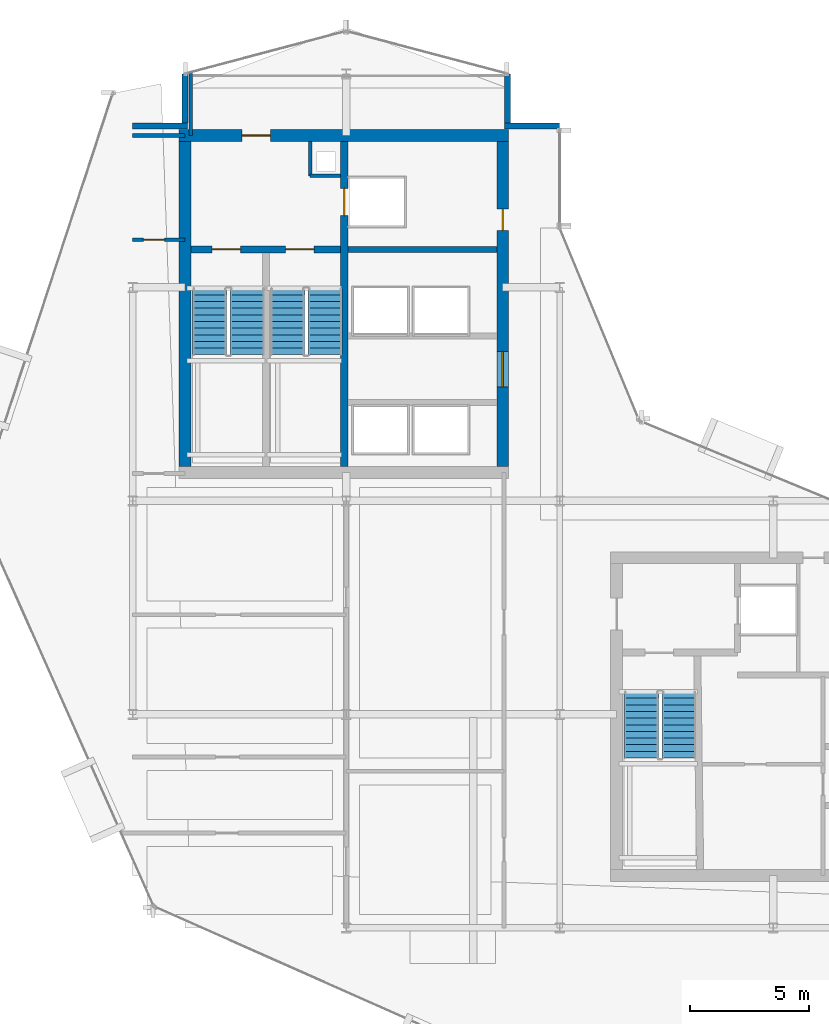
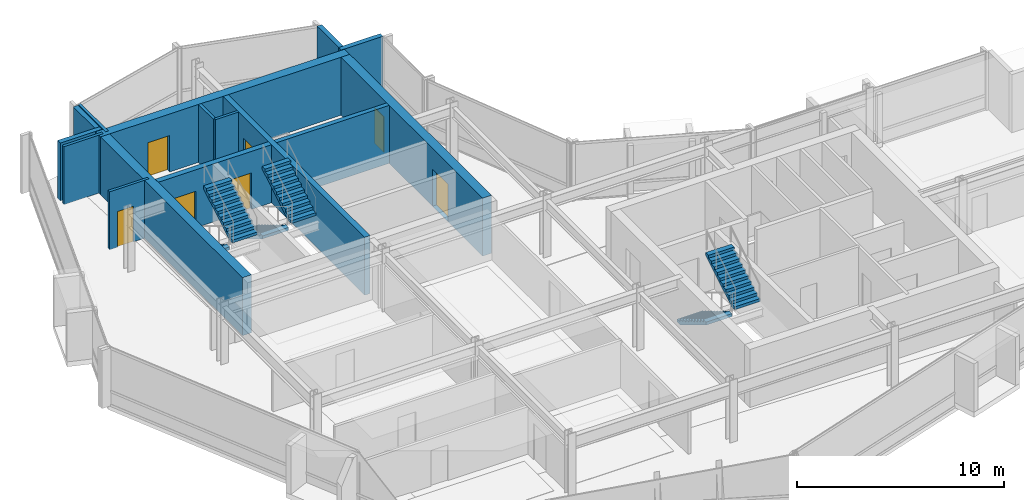
# One storey, part 21 of 27: 15 walls, 7 doors, 6 stair flights, 7 openings, 3 elements without a shape of their own.
"""IFC4 building model written with IfcOpenShell, lengths in metres."""

from ifc_helpers import new_model, si_unit, direction, frame, frame_2d, origin, place, context, subcontext, project, spatial, polyline, rectangle, outline, extrude, material, layer, layer_set, type_object, element, fill, aggregate, save


model = new_model("IFC4")

# Units and contexts
model_context = context("Model", 3, precision=1e-05, world=origin(), true_north=direction((0.0, 1.0)))
body_context = subcontext(model_context, "Body", "Model", "MODEL_VIEW")
ifc_project = project(units=[si_unit("LENGTHUNIT", "METRE"), si_unit("AREAUNIT", "SQUARE_METRE"), si_unit("VOLUMEUNIT", "CUBIC_METRE"), si_unit("PLANEANGLEUNIT", "RADIAN"), si_unit("MASSUNIT", "GRAM", prefix="KILO")], contexts=[model_context])

# Site, building, storey
site_placement = place(None, origin())
site = spatial("IfcSite", under=ifc_project, at=site_placement, CompositionType="ELEMENT")
building_placement = place(site_placement, origin())
building = spatial("IfcBuilding", under=site, at=building_placement, Name="Solvaryn Broadcast Tower", CompositionType="ELEMENT")
storey_placement = place(building_placement, frame((0.0, 0.0, 181.60009765625)))
storey = spatial("IfcBuildingStorey", under=building, at=storey_placement, Name="L45", CompositionType="ELEMENT", Elevation=181.60009765625)

# Wall, opening, door
ifc_material_1 = material(Name="Concrete f'c 70 MPa", Category="concrete")
ifc_layer_1 = layer(ifc_material_1, 0.5)
ifc_layer_set_1 = layer_set([ifc_layer_1], Name="CW-SHEAR-500")
wall_type_1 = type_object("IfcWallType", Name="CW-SHEAR-500", PredefinedType="SHEAR", material=ifc_layer_set_1)
wall_1_placement = place(storey_placement, frame((24.85009765625, 42.39990234375, 0.0), z_axis=(0.0, 0.0, 1.0), x_axis=(-1.0, 0.0, 0.0)))
wall_1 = element("IfcWall", 1, at=wall_1_placement, inside=storey, type_object=wall_type_1, Name="L45 West Core North Shear Wall", PredefinedType="SHEAR", context=body_context, shape_type="SweptSolid", body=[
    extrude(rectangle(XDim=13.900146484375, YDim=0.5, at=frame_2d((6.9501953125, 0.0))), origin(), (0.0, 0.0, 1.0), 3.419921875),
])
opening_1_placement = place(wall_1_placement, frame((10.050048828125, 0.0, 0.0)))
opening_1 = element("IfcOpeningElement", 2, at=opening_1_placement, cuts=wall_1, Name="Opening FD90A", PredefinedType="OPENING", context=body_context, shape_type="SweptSolid", body=[
    extrude(rectangle(XDim=1.199951171875, YDim=2.14990234375, at=frame_2d((0.60009765625, 1.074951171875))), frame((0.0, 0.260009765625, 0.0), z_axis=(0.0, -1.0, 0.0), x_axis=(1.0, 0.0, 0.0)), (0.0, 0.0, 1.0), 0.52001953125),
])
ifc_material_2 = material(Name="Flush Acoustic Steel and Timber Door Assembly", Category="steel")
door_type_1 = type_object("IfcDoorType", Name="FD90-STAIR-1200X2150", OperationType="NOTDEFINED", PredefinedType="DOOR", material=ifc_material_2)
door_1_placement = place(opening_1_placement, origin())
door_1 = element("IfcDoor", 3, at=door_1_placement, inside=storey, type_object=door_type_1, Name="L45 West FSAE Lobby Corridor Door", OperationType="SINGLE_SWING_LEFT", OverallHeight=2.14990234375, OverallWidth=1.199951171875, PredefinedType="DOOR", context=body_context, shape_type="SweptSolid", body=[
    extrude(rectangle(XDim=1.199951171875, YDim=2.14990234375, at=frame_2d((0.60009765625, 1.074951171875))), frame((0.0, 0.02490234375, 0.0), z_axis=(0.0, -1.0, 0.0), x_axis=(1.0, 0.0, 0.0)), (0.0, 0.0, 1.0), 0.050048828125),
])
fill(opening_1, door_1)

# Wall
wall_2_placement = place(storey_placement, frame((11.199951171875, 42.14990234375, 0.0), z_axis=(0.0, 0.0, 1.0), x_axis=(0.0, -1.0, 0.0)))
element("IfcWall", 4, at=wall_2_placement, inside=storey, type_object=wall_type_1, Name="L45 West Core West Shear Wall", PredefinedType="SHEAR", context=body_context, shape_type="SweptSolid", body=[
    extrude(rectangle(XDim=13.699951171875, YDim=0.5, at=frame_2d((6.85009765625, 0.0))), origin(), (0.0, 0.0, 1.0), 3.419921875),
])

# Wall, openings, doors
wall_3_placement = place(storey_placement, frame((24.60009765625, 28.449951171875, 0.0), z_axis=(0.0, 0.0, 1.0), x_axis=(0.0, 1.0, 0.0)))
wall_3 = element("IfcWall", 5, at=wall_3_placement, inside=storey, type_object=wall_type_1, Name="L45 West Core East Shear Wall", PredefinedType="SHEAR", context=body_context, shape_type="SweptSolid", body=[
    extrude(rectangle(XDim=13.699951171875, YDim=0.5, at=frame_2d((6.85009765625, 0.0))), origin(), (0.0, 0.0, 1.0), 3.419921875),
])
opening_2_placement = place(wall_3_placement, frame((3.35009765625, 0.0, 0.0)))
opening_2 = element("IfcOpeningElement", 6, at=opening_2_placement, cuts=wall_3, Name="Opening FD60A", PredefinedType="OPENING", context=body_context, shape_type="SweptSolid", body=[
    extrude(rectangle(XDim=1.5, YDim=2.199951171875, at=frame_2d((0.75, 1.10009765625))), frame((0.0, 0.260009765625, 0.0), z_axis=(0.0, -1.0, 0.0), x_axis=(1.0, 0.0, 0.0)), (0.0, 0.0, 1.0), 0.52001953125),
])
opening_3_placement = place(wall_3_placement, frame((9.949951171875, 0.0, 0.0)))
opening_3 = element("IfcOpeningElement", 7, at=opening_3_placement, cuts=wall_3, Name="Opening FD60C", PredefinedType="OPENING", context=body_context, shape_type="SweptSolid", body=[
    extrude(rectangle(XDim=0.89990234375, YDim=2.10009765625, at=frame_2d((0.449951171875, 1.050048828125))), frame((0.0, 0.260009765625, 0.0), z_axis=(0.0, -1.0, 0.0), x_axis=(1.0, 0.0, 0.0)), (0.0, 0.0, 1.0), 0.52001953125),
])
ifc_material_3 = material(Name="Flush Acoustic Steel and Timber Door Assembly", Category="steel")
door_type_2 = type_object("IfcDoorType", Name="FD60-CORR-1500X2200", OperationType="NOTDEFINED", PredefinedType="DOOR", material=ifc_material_3)
door_2_placement = place(opening_2_placement, origin())
door_2 = element("IfcDoor", 8, at=door_2_placement, inside=storey, type_object=door_type_2, Name="L45 West Elevator Lobby Corridor Door", OperationType="DOUBLE_DOOR_SINGLE_SWING", OverallHeight=2.199951171875, OverallWidth=1.5, PredefinedType="DOOR", context=body_context, shape_type="SweptSolid", body=[
    extrude(rectangle(XDim=1.5, YDim=2.199951171875, at=frame_2d((0.75, 1.10009765625))), frame((0.0, 0.02490234375, 0.0), z_axis=(0.0, -1.0, 0.0), x_axis=(1.0, 0.0, 0.0)), (0.0, 0.0, 1.0), 0.050048828125),
])
fill(opening_2, door_2)
ifc_material_4 = material(Name="Flush Acoustic Steel and Timber Door Assembly", Category="steel")
door_type_3 = type_object("IfcDoorType", Name="FD60-SERV-900X2100", OperationType="NOTDEFINED", PredefinedType="DOOR", material=ifc_material_4)
door_3_placement = place(opening_3_placement, origin())
door_3 = element("IfcDoor", 9, at=door_3_placement, inside=storey, type_object=door_type_3, Name="L45 West Core Service Door 1", OperationType="SINGLE_SWING_LEFT", OverallHeight=2.10009765625, OverallWidth=0.89990234375, PredefinedType="DOOR", context=body_context, shape_type="SweptSolid", body=[
    extrude(rectangle(XDim=0.89990234375, YDim=2.10009765625, at=frame_2d((0.449951171875, 1.050048828125))), frame((0.0, 0.02490234375, 0.0), z_axis=(0.0, -1.0, 0.0), x_axis=(1.0, 0.0, 0.0)), (0.0, 0.0, 1.0), 0.050048828125),
])
fill(opening_3, door_3)

# Walls
ifc_material_5 = material(Name="Concrete f'c 50 MPa", Category="concrete")
ifc_layer_2 = layer(ifc_material_5, 0.260009765625)
ifc_layer_set_2 = layer_set([ifc_layer_2], Name="EW-PIER-260")
wall_type_2 = type_object("IfcWallType", Name="EW-PIER-260", PredefinedType="SOLIDWALL", material=ifc_layer_set_2)
wall_4_placement = place(storey_placement, frame((9.0, 42.800048828125, 0.0), z_axis=(0.0, 0.0, 1.0), x_axis=(1.0, 0.0, 0.0)))
element("IfcWall", 10, at=wall_4_placement, inside=storey, type_object=wall_type_2, Name="L45 Notched Corner Pier Wall NNW1", PredefinedType="SOLIDWALL", context=body_context, shape_type="SweptSolid", body=[
    extrude(rectangle(XDim=2.320068359375, YDim=0.260009765625, at=frame_2d((1.16015625, 0.0))), origin(), (0.0, 0.0, 1.0), 3.419921875),
])
for number, where, z_axis, x_axis, name in (
    (11, (11.199951171875, 42.919921875, 0.0), (0.0, 0.0, 1.0), (0.0, 1.0, 0.0), "L45 Notched Corner Pier Wall NNW2"),
    (12, (24.800048828125, 45.0, 0.0), (0.0, 0.0, 1.0), (0.0, -1.0, 0.0), "L45 Notched Corner Pier Wall NNE1"),
):
    element("IfcWall", number, at=place(storey_placement, frame(where, z_axis=z_axis, x_axis=x_axis)), inside=storey, type_object=wall_type_2, Name=name, PredefinedType="SOLIDWALL", context=body_context, shape_type="SweptSolid", body=[
        extrude(rectangle(XDim=2.080078125, YDim=0.260009765625, at=frame_2d((1.0400390625, 0.0))), origin(), (0.0, 0.0, 1.0), 3.419921875),
    ])
wall_5_placement = place(storey_placement, frame((24.679931640625, 42.800048828125, 0.0), z_axis=(0.0, 0.0, 1.0), x_axis=(1.0, 0.0, 0.0)))
element("IfcWall", 13, at=wall_5_placement, inside=storey, type_object=wall_type_2, Name="L45 Notched Corner Pier Wall NNE2", PredefinedType="SOLIDWALL", context=body_context, shape_type="SweptSolid", body=[
    extrude(rectangle(XDim=2.320068359375, YDim=0.260009765625, at=frame_2d((1.16015625, 0.0))), origin(), (0.0, 0.0, 1.0), 3.419921875),
])
ifc_material_6 = material(Name="Metal-Stud Service Core Partition")
ifc_layer_3 = layer(ifc_material_6, 0.14990234375)
ifc_layer_set_3 = layer_set([ifc_layer_3], Name="IW-PART-150")
wall_type_3 = type_object("IfcWallType", Name="IW-PART-150", PredefinedType="PARTITIONING", material=ifc_layer_set_3)
wall_6_placement = place(storey_placement, frame((16.47998046875, 40.699951171875, 0.0), z_axis=(0.0, 0.0, 1.0), x_axis=(1.0, 0.0, 0.0)))
element("IfcWall", 14, at=wall_6_placement, inside=storey, type_object=wall_type_3, Name="L45 West Core Riser Shaft South Wall", PredefinedType="PARTITIONING", context=body_context, shape_type="SweptSolid", body=[
    extrude(rectangle(XDim=1.2900390625, YDim=0.14990234375, at=frame_2d((0.64501953125, 0.0))), origin(), (0.0, 0.0, 1.0), 3.419921875),
])
wall_7_placement = place(storey_placement, frame((16.47998046875, 40.699951171875, 0.0), z_axis=(0.0, 0.0, 1.0), x_axis=(0.0, 1.0, 0.0)))
element("IfcWall", 15, at=wall_7_placement, inside=storey, type_object=wall_type_3, Name="L45 West Core Riser Shaft West Wall", PredefinedType="PARTITIONING", context=body_context, shape_type="SweptSolid", body=[
    extrude(rectangle(XDim=1.449951171875, YDim=0.14990234375, at=frame_2d((0.72509765625, 0.0))), origin(), (0.0, 0.0, 1.0), 3.419921875),
])

# Wall, opening, door
wall_8_placement = place(storey_placement, frame((9.0, 38.0, 0.0), z_axis=(0.0, 0.0, 1.0), x_axis=(1.0, 0.0, 0.0)))
wall_8 = element("IfcWall", 16, at=wall_8_placement, inside=storey, type_object=wall_type_3, Name="L45 Interior Partition IW-L45-WM-M", PredefinedType="PARTITIONING", context=body_context, shape_type="SweptSolid", body=[
    extrude(rectangle(XDim=2.199951171875, YDim=0.14990234375, at=frame_2d((1.10009765625, 0.0))), origin(), (0.0, 0.0, 1.0), 3.419921875),
])
opening_4_placement = place(wall_8_placement, frame((0.449951171875, 0.0, 0.0)))
opening_4 = element("IfcOpeningElement", 17, at=opening_4_placement, cuts=wall_8, Name="Opening FD60C", PredefinedType="OPENING", context=body_context, shape_type="SweptSolid", body=[
    extrude(rectangle(XDim=0.89990234375, YDim=2.10009765625, at=frame_2d((0.449951171875, 1.050048828125))), frame((0.0, 0.0849609375, 0.0), z_axis=(0.0, -1.0, 0.0), x_axis=(1.0, 0.0, 0.0)), (0.0, 0.0, 1.0), 0.169921875),
])
door_4_placement = place(opening_4_placement, origin())
door_4 = element("IfcDoor", 18, at=door_4_placement, inside=storey, type_object=door_type_3, Name="L45 Door DR-L45-WM1", OperationType="SINGLE_SWING_LEFT", OverallHeight=2.10009765625, OverallWidth=0.89990234375, PredefinedType="DOOR", context=body_context, shape_type="SweptSolid", body=[
    extrude(rectangle(XDim=0.89990234375, YDim=2.10009765625, at=frame_2d((0.449951171875, 1.050048828125))), frame((0.0, 0.02490234375, 0.0), z_axis=(0.0, -1.0, 0.0), x_axis=(1.0, 0.0, 0.0)), (0.0, 0.0, 1.0), 0.050048828125),
])
fill(opening_4, door_4)

# Walls
ifc_material_7 = material(Name="Metal-Stud Gypsum Office Partition")
ifc_layer_4 = layer(ifc_material_7, 0.159912109375)
ifc_layer_set_4 = layer_set([ifc_layer_4], Name="IW-PART-160")
wall_type_4 = type_object("IfcWallType", Name="IW-PART-160", PredefinedType="PARTITIONING", material=ifc_layer_set_4)
wall_9_placement = place(storey_placement, frame((9.0, 42.39990234375, 0.0), z_axis=(0.0, 0.0, 1.0), x_axis=(1.0, 0.0, 0.0)))
element("IfcWall", 19, at=wall_9_placement, inside=storey, type_object=wall_type_4, Name="L45 Interior Partition IW-L45-WM-N", PredefinedType="PARTITIONING", context=body_context, shape_type="SweptSolid", body=[
    extrude(rectangle(XDim=2.199951171875, YDim=0.159912109375, at=frame_2d((1.10009765625, 0.0))), origin(), (0.0, 0.0, 1.0), 3.419921875),
])
wall_10_placement = place(storey_placement, frame((11.449951171875, 42.39990234375, 0.0), z_axis=(0.0, 0.0, 1.0), x_axis=(0.0, 1.0, 0.0)))
element("IfcWall", 20, at=wall_10_placement, inside=storey, type_object=wall_type_4, Name="L45 Interior Partition IW-L45-WM-E", PredefinedType="PARTITIONING", context=body_context, shape_type="SweptSolid", body=[
    extrude(rectangle(XDim=2.666015625, YDim=0.159912109375, at=frame_2d((1.3330078125, 0.0))), origin(), (0.0, 0.0, 1.0), 3.419921875),
])
ifc_material_8 = material(Name="Concrete f'c 60 MPa", Category="concrete")
ifc_layer_5 = layer(ifc_material_8, 0.25)
ifc_layer_set_5 = layer_set([ifc_layer_5], Name="SW-SHAFT-250")
wall_type_5 = type_object("IfcWallType", Name="SW-SHAFT-250", PredefinedType="PARTITIONING", material=ifc_layer_set_5)
wall_11_placement = place(storey_placement, frame((18.070068359375, 37.60009765625, 0.0), z_axis=(0.0, 0.0, 1.0), x_axis=(1.0, 0.0, 0.0)))
element("IfcWall", 21, at=wall_11_placement, inside=storey, type_object=wall_type_5, Name="L45 West Core FSAE Hoistway Front Wall", PredefinedType="PARTITIONING", context=body_context, shape_type="SweptSolid", body=[
    extrude(rectangle(XDim=6.280029296875, YDim=0.25, at=frame_2d((3.14013671875, 0.0))), origin(), (0.0, 0.0, 1.0), 3.419921875),
])

# Wall, opening, door
ifc_material_9 = material(Name="Concrete f'c 70 MPa", Category="concrete")
ifc_layer_6 = layer(ifc_material_9, 0.300048828125)
ifc_layer_set_6 = layer_set([ifc_layer_6], Name="SW-SHAFT-300")
wall_type_6 = type_object("IfcWallType", Name="SW-SHAFT-300", PredefinedType="SHEAR", material=ifc_layer_set_6)
wall_12_placement = place(storey_placement, frame((17.919921875, 42.14990234375, 0.0), z_axis=(0.0, 0.0, 1.0), x_axis=(0.0, -1.0, 0.0)))
wall_12 = element("IfcWall", 22, at=wall_12_placement, inside=storey, type_object=wall_type_6, Name="L45 West Core Stair-Lobby Shear Wall", PredefinedType="SHEAR", context=body_context, shape_type="SweptSolid", body=[
    extrude(rectangle(XDim=13.699951171875, YDim=0.300048828125, at=frame_2d((6.85009765625, 0.0))), origin(), (0.0, 0.0, 1.0), 3.419921875),
])
opening_5_placement = place(wall_12_placement, frame((1.97509765625, 0.0, 0.0)))
opening_5 = element("IfcOpeningElement", 23, at=opening_5_placement, cuts=wall_12, Name="Opening LD01", PredefinedType="OPENING", context=body_context, shape_type="SweptSolid", body=[
    extrude(rectangle(XDim=1.14990234375, YDim=2.14990234375, at=frame_2d((0.574951171875, 1.074951171875))), frame((0.0, 0.159912109375, 0.0), z_axis=(0.0, -1.0, 0.0), x_axis=(1.0, 0.0, 0.0)), (0.0, 0.0, 1.0), 0.320068359375),
])
ifc_material_10 = material(Name="Flush Acoustic Steel and Timber Door Assembly", Category="steel")
door_type_4 = type_object("IfcDoorType", Name="LD-LIFT-1150X2150", OperationType="NOTDEFINED", PredefinedType="DOOR", material=ifc_material_10)
door_5_placement = place(opening_5_placement, origin())
door_5 = element("IfcDoor", 24, at=door_5_placement, inside=storey, type_object=door_type_4, Name="L45 FL1 Lift Landing Door", OperationType="DOUBLE_DOOR_SLIDING", OverallHeight=2.14990234375, OverallWidth=1.14990234375, PredefinedType="DOOR", context=body_context, shape_type="SweptSolid", body=[
    extrude(rectangle(XDim=1.14990234375, YDim=2.14990234375, at=frame_2d((0.574951171875, 1.074951171875))), frame((0.0, 0.02490234375, 0.0), z_axis=(0.0, -1.0, 0.0), x_axis=(1.0, 0.0, 0.0)), (0.0, 0.0, 1.0), 0.050048828125),
])
fill(opening_5, door_5)

# Wall, openings, doors
wall_13_placement = place(storey_placement, frame((17.77001953125, 37.60009765625, 0.0), z_axis=(0.0, 0.0, 1.0), x_axis=(-1.0, 0.0, 0.0)))
wall_13 = element("IfcWall", 25, at=wall_13_placement, inside=storey, type_object=wall_type_6, Name="L45 West Core FSAE Lobby South Wall", PredefinedType="SHEAR", context=body_context, shape_type="SweptSolid", body=[
    extrude(rectangle(XDim=6.320068359375, YDim=0.300048828125, at=frame_2d((3.16015625, 0.0))), origin(), (0.0, 0.0, 1.0), 3.419921875),
])
opening_6_placement = place(wall_13_placement, frame((4.219970703125, 0.0, 0.0)))
opening_6 = element("IfcOpeningElement", 26, at=opening_6_placement, cuts=wall_13, Name="Opening FD90A", PredefinedType="OPENING", context=body_context, shape_type="SweptSolid", body=[
    extrude(rectangle(XDim=1.199951171875, YDim=2.14990234375, at=frame_2d((0.60009765625, 1.074951171875))), frame((0.0, 0.159912109375, 0.0), z_axis=(0.0, -1.0, 0.0), x_axis=(1.0, 0.0, 0.0)), (0.0, 0.0, 1.0), 0.320068359375),
])
opening_7_placement = place(wall_13_placement, frame((1.1201171875, 0.0, 0.0)))
opening_7 = element("IfcOpeningElement", 27, at=opening_7_placement, cuts=wall_13, Name="Opening FD90A", PredefinedType="OPENING", context=body_context, shape_type="SweptSolid", body=[
    extrude(rectangle(XDim=1.199951171875, YDim=2.14990234375, at=frame_2d((0.60009765625, 1.074951171875))), frame((0.0, 0.159912109375, 0.0), z_axis=(0.0, -1.0, 0.0), x_axis=(1.0, 0.0, 0.0)), (0.0, 0.0, 1.0), 0.320068359375),
])
door_6_placement = place(opening_6_placement, origin())
door_6 = element("IfcDoor", 28, at=door_6_placement, inside=storey, type_object=door_type_1, Name="L45 Stair 1 Fire Door", OperationType="SINGLE_SWING_LEFT", OverallHeight=2.14990234375, OverallWidth=1.199951171875, PredefinedType="DOOR", context=body_context, shape_type="SweptSolid", body=[
    extrude(rectangle(XDim=1.199951171875, YDim=2.14990234375, at=frame_2d((0.60009765625, 1.074951171875))), frame((0.0, 0.02490234375, 0.0), z_axis=(0.0, -1.0, 0.0), x_axis=(1.0, 0.0, 0.0)), (0.0, 0.0, 1.0), 0.050048828125),
])
fill(opening_6, door_6)
door_7_placement = place(opening_7_placement, origin())
door_7 = element("IfcDoor", 29, at=door_7_placement, inside=storey, type_object=door_type_1, Name="L45 Stair 2 Fire Door", OperationType="SINGLE_SWING_RIGHT", OverallHeight=2.14990234375, OverallWidth=1.199951171875, PredefinedType="DOOR", context=body_context, shape_type="SweptSolid", body=[
    extrude(rectangle(XDim=1.199951171875, YDim=2.14990234375, at=frame_2d((0.60009765625, 1.074951171875))), frame((0.0, 0.02490234375, 0.0), z_axis=(0.0, -1.0, 0.0), x_axis=(1.0, 0.0, 0.0)), (0.0, 0.0, 1.0), 0.050048828125),
])
fill(opening_7, door_7)

# Stair, stair flights
ifc_material_11 = material(Name="Concrete f'c 60 MPa", Category="concrete")
stair_type = type_object("IfcStairType", Name="ST-CORE", PredefinedType="HALF_TURN_STAIR", material=ifc_material_11)
stair_1_placement = place(storey_placement, origin())
stair_1 = element("IfcStair", 30, at=stair_1_placement, inside=storey, type_object=stair_type, Name="L45 ST1", PredefinedType="HALF_TURN_STAIR")
ifc_material_12 = material(Name="Concrete f'c 60 MPa", Category="concrete")
ifc_layer_7 = layer(ifc_material_12, 0.159912109375)
ifc_layer_set_7 = layer_set([ifc_layer_7], Name="SF-CORE")
stair_flight_type = type_object("IfcStairFlightType", Name="SF-CORE", PredefinedType="STRAIGHT", material=ifc_layer_set_7)
stair_flight_1_placement = place(storey_placement, frame((12.239990234375, 35.9599609375, 0.0), z_axis=(0.0, 0.0, 1.0), x_axis=(0.0, -1.0, 0.0)))
stair_flight_1 = element("IfcStairFlight", 31, at=stair_flight_1_placement, type_object=stair_flight_type, Name="ST1 flight 1", NumberOfRisers=11, NumberOfTreads=10, PredefinedType="STRAIGHT", RiserHeight=0.168181818, TreadLength=0.28, context=body_context, shape_type="SweptSolid", body=[
    extrude(outline(polyline([(0.0, 0.0), (0.0, 0.168212890625), (0.280029296875, 0.168212890625), (0.280029296875, 0.33642578125), (0.56005859375, 0.33642578125), (0.56005859375, 0.504638671875), (0.840087890625, 0.504638671875), (0.840087890625, 0.672607421875), (1.1201171875, 0.672607421875), (1.1201171875, 0.8408203125), (1.39990234375, 0.8408203125), (1.39990234375, 1.009033203125), (1.679931640625, 1.009033203125), (1.679931640625, 1.17724609375), (1.9599609375, 1.17724609375), (1.9599609375, 1.345458984375), (2.239990234375, 1.345458984375), (2.239990234375, 1.513671875), (2.52001953125, 1.513671875), (2.52001953125, 1.681884765625), (2.800048828125, 1.681884765625), (2.800048828125, 1.85009765625), (2.800048828125, 1.5068359375), (0.291015625, 0.0), (0.0, 0.0)])), frame((0.0, 0.719970703125, 0.0), z_axis=(0.0, -1.0, 0.0), x_axis=(1.0, 0.0, 0.0)), (0.0, 0.0, 1.0), 1.43994140625),
])
stair_flight_2_placement = place(storey_placement, frame((13.830078125, 33.159912109375, 1.849853515625), z_axis=(0.0, 0.0, 1.0), x_axis=(0.0, 1.0, 0.0)))
stair_flight_2 = element("IfcStairFlight", 32, at=stair_flight_2_placement, type_object=stair_flight_type, Name="ST1 flight 2", NumberOfRisers=11, NumberOfTreads=10, PredefinedType="STRAIGHT", RiserHeight=0.168181818, TreadLength=0.28, context=body_context, shape_type="SweptSolid", body=[
    extrude(outline(polyline([(0.0, 0.0), (0.0, 0.168212890625), (0.280029296875, 0.168212890625), (0.280029296875, 0.33642578125), (0.56005859375, 0.33642578125), (0.56005859375, 0.504638671875), (0.840087890625, 0.504638671875), (0.840087890625, 0.672607421875), (1.1201171875, 0.672607421875), (1.1201171875, 0.8408203125), (1.39990234375, 0.8408203125), (1.39990234375, 1.009033203125), (1.679931640625, 1.009033203125), (1.679931640625, 1.17724609375), (1.9599609375, 1.17724609375), (1.9599609375, 1.345458984375), (2.239990234375, 1.345458984375), (2.239990234375, 1.513671875), (2.52001953125, 1.513671875), (2.52001953125, 1.681884765625), (2.800048828125, 1.681884765625), (2.800048828125, 1.85009765625), (2.800048828125, 1.5068359375), (0.291015625, 0.0), (0.0, 0.0)])), frame((0.0, 0.719970703125, 0.0), z_axis=(0.0, -1.0, 0.0), x_axis=(1.0, 0.0, 0.0)), (0.0, 0.0, 1.0), 1.43994140625),
])
aggregate(stair_1, [stair_flight_1, stair_flight_2])

stair_2_placement = place(storey_placement, origin())
stair_2 = element("IfcStair", 33, at=stair_2_placement, inside=storey, type_object=stair_type, Name="L45 ST2", PredefinedType="HALF_TURN_STAIR")
stair_flight_3_placement = place(storey_placement, frame((15.52001953125, 35.9599609375, 0.0), z_axis=(0.0, 0.0, 1.0), x_axis=(0.0, -1.0, 0.0)))
stair_flight_3 = element("IfcStairFlight", 34, at=stair_flight_3_placement, type_object=stair_flight_type, Name="ST2 flight 1", NumberOfRisers=11, NumberOfTreads=10, PredefinedType="STRAIGHT", RiserHeight=0.168181818, TreadLength=0.28, context=body_context, shape_type="SweptSolid", body=[
    extrude(outline(polyline([(0.0, 0.0), (0.0, 0.168212890625), (0.280029296875, 0.168212890625), (0.280029296875, 0.33642578125), (0.56005859375, 0.33642578125), (0.56005859375, 0.504638671875), (0.840087890625, 0.504638671875), (0.840087890625, 0.672607421875), (1.1201171875, 0.672607421875), (1.1201171875, 0.8408203125), (1.39990234375, 0.8408203125), (1.39990234375, 1.009033203125), (1.679931640625, 1.009033203125), (1.679931640625, 1.17724609375), (1.9599609375, 1.17724609375), (1.9599609375, 1.345458984375), (2.239990234375, 1.345458984375), (2.239990234375, 1.513671875), (2.52001953125, 1.513671875), (2.52001953125, 1.681884765625), (2.800048828125, 1.681884765625), (2.800048828125, 1.85009765625), (2.800048828125, 1.5068359375), (0.291015625, 0.0), (0.0, 0.0)])), frame((0.0, 0.719970703125, 0.0), z_axis=(0.0, -1.0, 0.0), x_axis=(1.0, 0.0, 0.0)), (0.0, 0.0, 1.0), 1.43994140625),
])
stair_flight_4_placement = place(storey_placement, frame((17.110107421875, 33.159912109375, 1.849853515625), z_axis=(0.0, 0.0, 1.0), x_axis=(0.0, 1.0, 0.0)))
stair_flight_4 = element("IfcStairFlight", 35, at=stair_flight_4_placement, type_object=stair_flight_type, Name="ST2 flight 2", NumberOfRisers=11, NumberOfTreads=10, PredefinedType="STRAIGHT", RiserHeight=0.168181818, TreadLength=0.28, context=body_context, shape_type="SweptSolid", body=[
    extrude(outline(polyline([(0.0, 0.0), (0.0, 0.168212890625), (0.280029296875, 0.168212890625), (0.280029296875, 0.33642578125), (0.56005859375, 0.33642578125), (0.56005859375, 0.504638671875), (0.840087890625, 0.504638671875), (0.840087890625, 0.672607421875), (1.1201171875, 0.672607421875), (1.1201171875, 0.8408203125), (1.39990234375, 0.8408203125), (1.39990234375, 1.009033203125), (1.679931640625, 1.009033203125), (1.679931640625, 1.17724609375), (1.9599609375, 1.17724609375), (1.9599609375, 1.345458984375), (2.239990234375, 1.345458984375), (2.239990234375, 1.513671875), (2.52001953125, 1.513671875), (2.52001953125, 1.681884765625), (2.800048828125, 1.681884765625), (2.800048828125, 1.85009765625), (2.800048828125, 1.5068359375), (0.291015625, 0.0), (0.0, 0.0)])), frame((0.0, 0.719970703125, 0.0), z_axis=(0.0, -1.0, 0.0), x_axis=(1.0, 0.0, 0.0)), (0.0, 0.0, 1.0), 1.43994140625),
])
aggregate(stair_2, [stair_flight_3, stair_flight_4])

stair_3_placement = place(storey_placement, origin())
stair_3 = element("IfcStair", 36, at=stair_3_placement, inside=storey, type_object=stair_type, Name="L45 ST3", PredefinedType="HALF_TURN_STAIR")
stair_flight_5_placement = place(storey_placement, frame((30.43994140625, 18.9599609375, 0.0), z_axis=(0.0, 0.0, 1.0), x_axis=(0.0, -1.0, 0.0)))
stair_flight_5 = element("IfcStairFlight", 37, at=stair_flight_5_placement, type_object=stair_flight_type, Name="ST3 flight 1", NumberOfRisers=11, NumberOfTreads=10, PredefinedType="STRAIGHT", RiserHeight=0.168181818, TreadLength=0.28, context=body_context, shape_type="SweptSolid", body=[
    extrude(outline(polyline([(0.0, 0.0), (0.0, 0.168212890625), (0.280029296875, 0.168212890625), (0.280029296875, 0.33642578125), (0.56005859375, 0.33642578125), (0.56005859375, 0.504638671875), (0.840087890625, 0.504638671875), (0.840087890625, 0.672607421875), (1.1201171875, 0.672607421875), (1.1201171875, 0.8408203125), (1.39990234375, 0.8408203125), (1.39990234375, 1.009033203125), (1.679931640625, 1.009033203125), (1.679931640625, 1.17724609375), (1.9599609375, 1.17724609375), (1.9599609375, 1.345458984375), (2.239990234375, 1.345458984375), (2.239990234375, 1.513671875), (2.52001953125, 1.513671875), (2.52001953125, 1.681884765625), (2.800048828125, 1.681884765625), (2.800048828125, 1.85009765625), (2.800048828125, 1.5068359375), (0.291015625, 0.0), (0.0, 0.0)])), frame((0.0, 0.719970703125, 0.0), z_axis=(0.0, -1.0, 0.0), x_axis=(1.0, 0.0, 0.0)), (0.0, 0.0, 1.0), 1.43994140625),
])
stair_flight_6_placement = place(storey_placement, frame((32.030029296875, 16.159912109375, 1.849853515625), z_axis=(0.0, 0.0, 1.0), x_axis=(0.0, 1.0, 0.0)))
stair_flight_6 = element("IfcStairFlight", 38, at=stair_flight_6_placement, type_object=stair_flight_type, Name="ST3 flight 2", NumberOfRisers=11, NumberOfTreads=10, PredefinedType="STRAIGHT", RiserHeight=0.168181818, TreadLength=0.28, context=body_context, shape_type="SweptSolid", body=[
    extrude(outline(polyline([(0.0, 0.0), (0.0, 0.168212890625), (0.280029296875, 0.168212890625), (0.280029296875, 0.33642578125), (0.56005859375, 0.33642578125), (0.56005859375, 0.504638671875), (0.840087890625, 0.504638671875), (0.840087890625, 0.672607421875), (1.1201171875, 0.672607421875), (1.1201171875, 0.8408203125), (1.39990234375, 0.8408203125), (1.39990234375, 1.009033203125), (1.679931640625, 1.009033203125), (1.679931640625, 1.17724609375), (1.9599609375, 1.17724609375), (1.9599609375, 1.345458984375), (2.239990234375, 1.345458984375), (2.239990234375, 1.513671875), (2.52001953125, 1.513671875), (2.52001953125, 1.681884765625), (2.800048828125, 1.681884765625), (2.800048828125, 1.85009765625), (2.800048828125, 1.5068359375), (0.291015625, 0.0), (0.0, 0.0)])), frame((0.0, 0.719970703125, 0.0), z_axis=(0.0, -1.0, 0.0), x_axis=(1.0, 0.0, 0.0)), (0.0, 0.0, 1.0), 1.43994140625),
])
aggregate(stair_3, [stair_flight_5, stair_flight_6])

save(model, "model.ifc")
